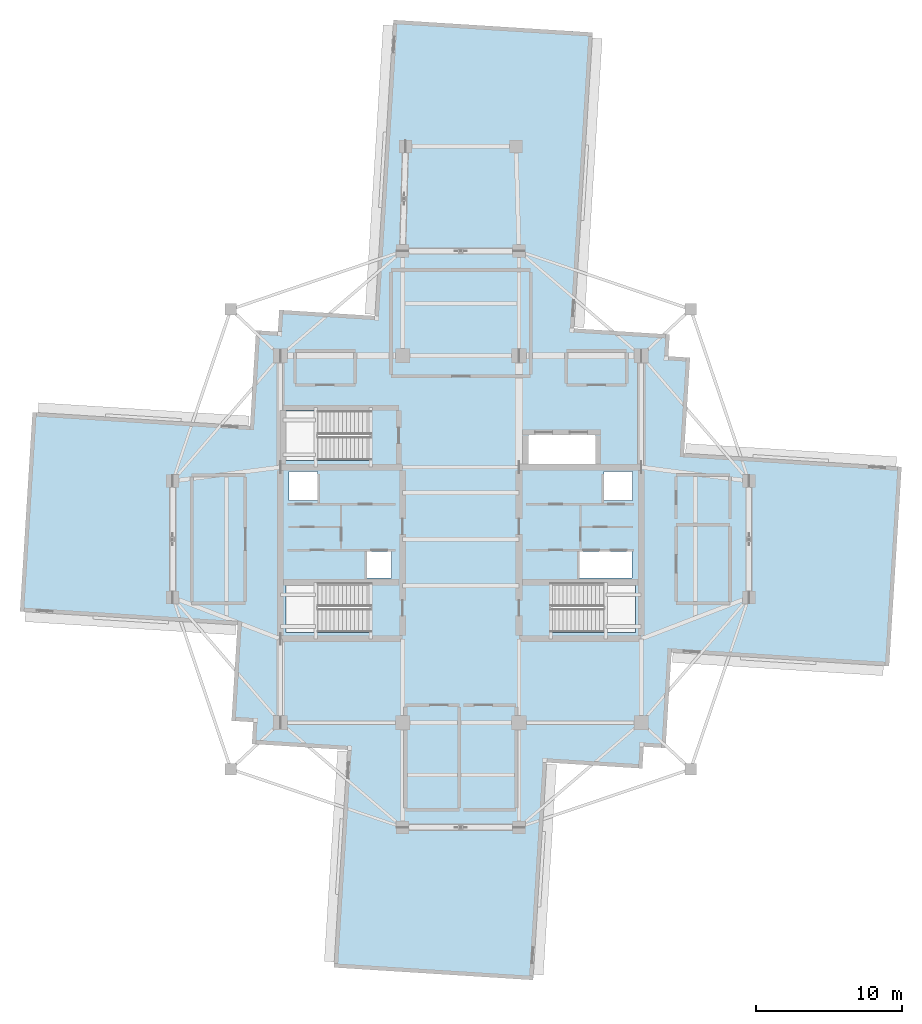
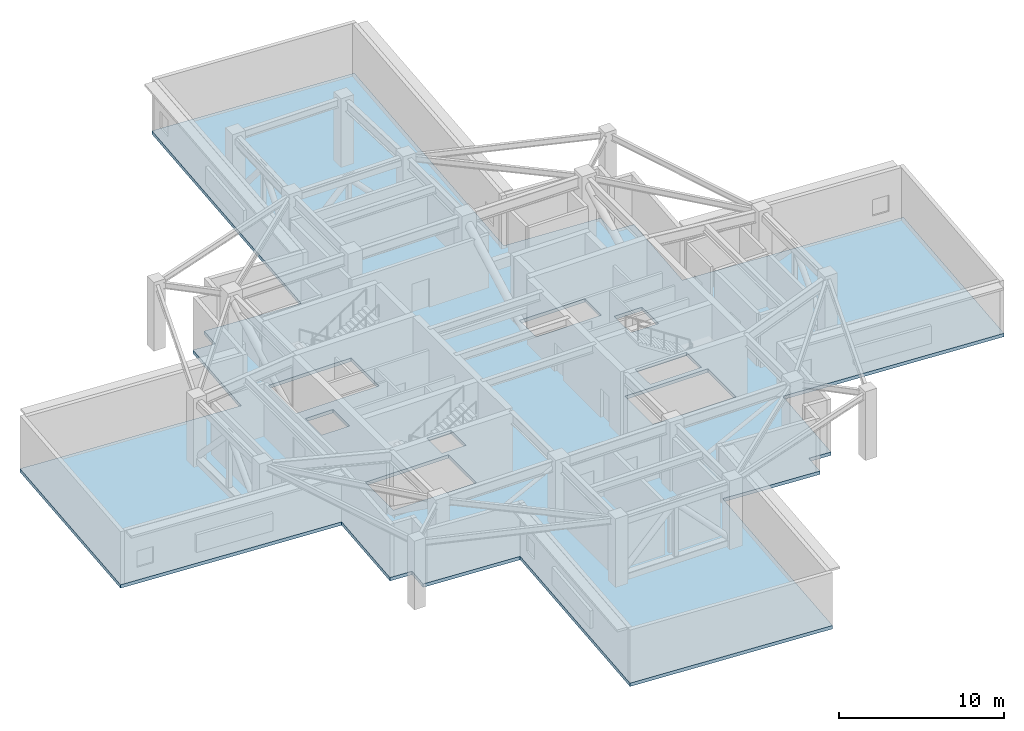
# One storey, part 6 of 14: 1 slab.
"""IFC4 building model written with IfcOpenShell, lengths in metres."""

from ifc_helpers import new_model, si_unit, direction, frame, origin, place, context, subcontext, project, spatial, polyline, outline, extrude, material, layer, layer_set, type_object, element, save


model = new_model("IFC4")

# Units and contexts
model_context = context("Model", 3, precision=1e-05, world=origin(), true_north=direction((0.0, 1.0)))
body_context = subcontext(model_context, "Body", "Model", "MODEL_VIEW")
ifc_project = project(units=[si_unit("LENGTHUNIT", "METRE"), si_unit("AREAUNIT", "SQUARE_METRE"), si_unit("VOLUMEUNIT", "CUBIC_METRE"), si_unit("PLANEANGLEUNIT", "RADIAN"), si_unit("MASSUNIT", "GRAM", prefix="KILO")], contexts=[model_context])

# Site, building, storey
site_placement = place(None, origin())
site = spatial("IfcSite", under=ifc_project, at=site_placement, CompositionType="ELEMENT")
building_placement = place(site_placement, origin())
building = spatial("IfcBuilding", under=site, at=building_placement, Name="Qingluan Cross Belvedere", CompositionType="ELEMENT")
storey_placement = place(building_placement, frame((0.0, 0.0, 240.300048828125)))
storey = spatial("IfcBuildingStorey", under=building, at=storey_placement, Name="L60", CompositionType="ELEMENT", Elevation=240.300048828125)

# Slab
ifc_material = material(Name="Concrete C40", Category="concrete")
ifc_layer = layer(ifc_material, 0.25, Name="FloorSlab_250")
ifc_layer_set = layer_set([ifc_layer], Name="Concrete C40")
slab_type = type_object("IfcSlabType", Name="FloorSlab_250", PredefinedType="FLOOR", material=ifc_layer_set)
slab_placement = place(storey_placement, frame((0.0, 0.0, -0.25)))
element("IfcSlab", 1, at=slab_placement, inside=storey, type_object=slab_type, Name="Structural floor slab L60", PredefinedType="FLOOR", context=body_context, shape_type="SweptSolid", body=[
    extrude(outline(polyline([(4.9677734375, -30.291748046875), (5.908447265625, -15.34130859375), (12.475341796875, -15.75439453125), (12.569580078125, -14.25732421875), (14.066650390625, -14.3515625), (14.479736328125, -7.78466796875), (29.43017578125, -8.72509765625), (30.291748046875, 4.9677734375), (15.34130859375, 5.908447265625), (15.75439453125, 12.475341796875), (14.25732421875, 12.569580078125), (14.3515625, 14.066650390625), (7.78466796875, 14.479736328125), (9.064208984375, 34.819580078125), (-4.628662109375, 35.680908203125), (-5.908447265625, 15.34130859375), (-12.475341796875, 15.75439453125), (-12.569580078125, 14.25732421875), (-14.066650390625, 14.3515625), (-14.479736328125, 7.78466796875), (-29.43017578125, 8.72509765625), (-30.291748046875, -4.9677734375), (-15.34130859375, -5.908447265625), (-15.75439453125, -12.475341796875), (-14.25732421875, -12.569580078125), (-14.3515625, -14.066650390625), (-7.78466796875, -14.479736328125), (-8.72509765625, -29.43017578125), (4.9677734375, -30.291748046875)]), holes=[polyline([(-12.0, -3.0), (-6.179931640625, -3.0), (-6.179931640625, -6.39990234375), (-12.0, -6.39990234375), (-12.0, -3.0)]), polyline([(6.179931640625, -3.0), (12.0, -3.0), (12.0, -6.39990234375), (6.179931640625, -6.39990234375), (6.179931640625, -3.0)]), polyline([(-12.0, 8.820068359375), (-6.179931640625, 8.820068359375), (-6.179931640625, 5.419921875), (-12.0, 5.419921875), (-12.0, 8.820068359375)]), polyline([(-11.800048828125, 4.64990234375), (-9.85009765625, 4.64990234375), (-9.85009765625, 2.64990234375), (-11.800048828125, 2.64990234375), (-11.800048828125, 4.64990234375)]), polyline([(9.85009765625, 4.64990234375), (11.800048828125, 4.64990234375), (11.800048828125, 2.64990234375), (9.85009765625, 2.64990234375), (9.85009765625, 4.64990234375)]), polyline([(-6.449951171875, -0.840087890625), (-4.75, -0.840087890625), (-4.75, -2.659912109375), (-6.449951171875, -2.659912109375), (-6.449951171875, -0.840087890625)]), polyline([(8.14990234375, -0.840087890625), (11.75, -0.840087890625), (11.75, -2.659912109375), (8.14990234375, -2.659912109375), (8.14990234375, -0.840087890625)]), polyline([(4.64990234375, 7.14990234375), (9.25, 7.14990234375), (9.25, 5.14990234375), (4.64990234375, 5.14990234375), (4.64990234375, 7.14990234375)])]), origin(), (0.0, 0.0, 1.0), 0.25),
])

save(model, "model.ifc")
